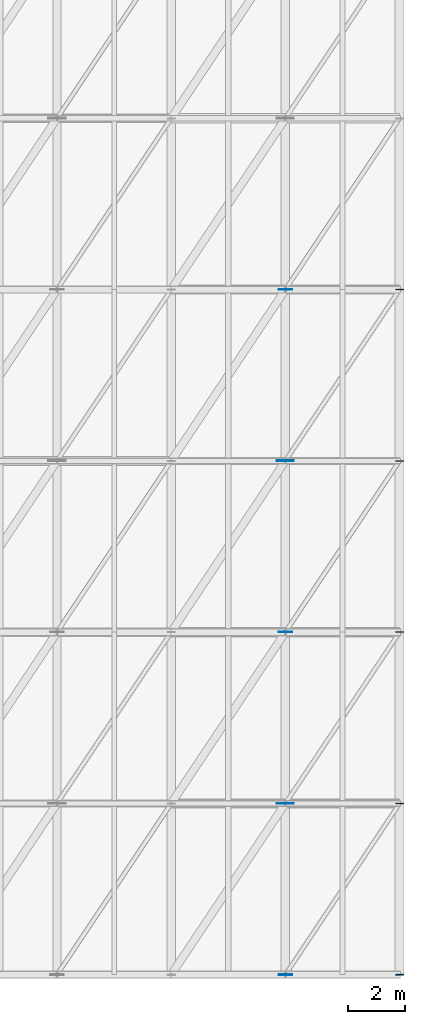
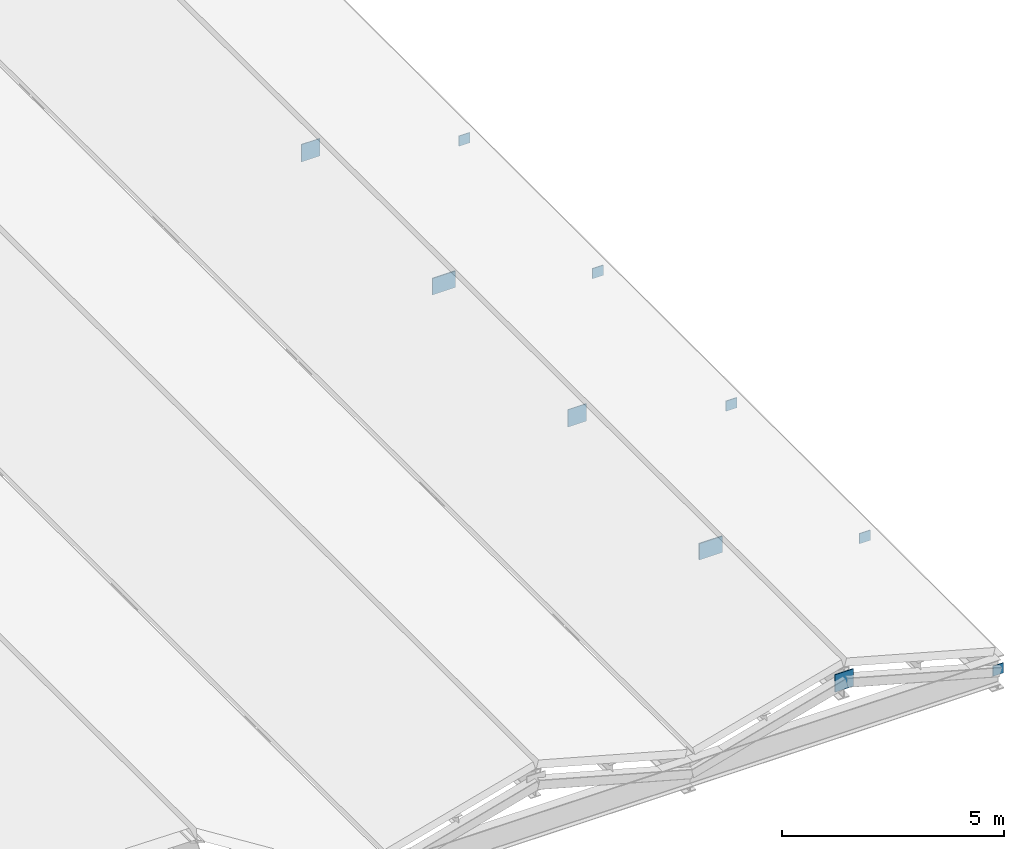
# One storey, part 23 of 27: 10 plates.
"""IFC4 building model written with IfcOpenShell, lengths in metres."""

from ifc_helpers import new_model, si_unit, direction, frame, origin, origin_2d, place, context, subcontext, project, spatial, rectangle, extrude, material, layer, layer_set, type_object, element, save


model = new_model("IFC4")

# Units and contexts
model_context = context("Model", 3, precision=1e-05, world=origin(), true_north=direction((0.0, 1.0)))
body_context = subcontext(model_context, "Body", "Model", "MODEL_VIEW")
ifc_project = project(units=[si_unit("LENGTHUNIT", "METRE"), si_unit("AREAUNIT", "SQUARE_METRE"), si_unit("VOLUMEUNIT", "CUBIC_METRE"), si_unit("PLANEANGLEUNIT", "RADIAN"), si_unit("MASSUNIT", "GRAM", prefix="KILO")], contexts=[model_context])

# Site, building, storey
site_placement = place(None, origin())
site = spatial("IfcSite", under=ifc_project, at=site_placement, CompositionType="ELEMENT")
building_placement = place(site_placement, origin())
building = spatial("IfcBuilding", under=site, at=building_placement, Name="Verrall Gate Interchange", CompositionType="ELEMENT")
storey_placement = place(building_placement, frame((0.0, 0.0, 32.800048828125)))
storey = spatial("IfcBuildingStorey", under=building, at=storey_placement, Name="RF", CompositionType="ELEMENT", Elevation=32.800048828125)

# Plates
ifc_material_1 = material(Name="Structural Steel CSA G40.21 350WT Cat 4", Category="steel")
ifc_layer_1 = layer(ifc_material_1, 0.02001953125)
ifc_layer_set_1 = layer_set([ifc_layer_1], Name="Structural Steel CSA G40.21 350WT Cat 4")
plate_type_1 = type_object("IfcPlateType", Name="GP-01 Gusset Plate 20", PredefinedType="SHEET", material=ifc_layer_set_1)
plate_1_placement = place(storey_placement, frame((104.0, 12.0, -15.9482421875), z_axis=(0.0, 0.0, 1.0), x_axis=(1.0, 0.0, 0.0)))
element("IfcPlate", 1, at=plate_1_placement, inside=storey, type_object=plate_type_1, Name="Folded-Plate Ridge Gusset Node KN-R9-0", PredefinedType="SHEET", context=body_context, shape_type="SweptSolid", body=[
    extrude(rectangle(XDim=0.47998046875, YDim=0.02001953125, at=origin_2d()), origin(), (0.0, 0.0, 1.0), 0.47998046875),
])
for number, where, z_axis, x_axis, name in (
    (2, (108.0, 12.0, -16.9482421875), (0.0, 0.0, 1.0), (1.0, 0.0, 0.0), "Folded-Plate Valley Gusset Node KN-V9-1-0"),
    (3, (108.0, 18.0, -16.9482421875), (0.0, 0.0, 1.0), (1.0, 0.0, 0.0), "Folded-Plate Valley Gusset Node KN-V9-1-1"),
):
    element("IfcPlate", number, at=place(storey_placement, frame(where, z_axis=z_axis, x_axis=x_axis)), inside=storey, type_object=plate_type_1, Name=name, PredefinedType="SHEET", context=body_context, shape_type="SweptSolid", body=[
        extrude(rectangle(XDim=0.280029296875, YDim=0.02001953125, at=origin_2d()), origin(), (0.0, 0.0, 1.0), 0.280029296875),
    ])
plate_2_placement = place(storey_placement, frame((104.0, 24.0, -15.9482421875), z_axis=(0.0, 0.0, 1.0), x_axis=(1.0, 0.0, 0.0)))
element("IfcPlate", 4, at=plate_2_placement, inside=storey, type_object=plate_type_1, Name="Folded-Plate Ridge Gusset Node KN-R9-2", PredefinedType="SHEET", context=body_context, shape_type="SweptSolid", body=[
    extrude(rectangle(XDim=0.47998046875, YDim=0.02001953125, at=origin_2d()), origin(), (0.0, 0.0, 1.0), 0.47998046875),
])
for number, where, z_axis, x_axis, name in (
    (5, (108.0, 24.0, -16.9482421875), (0.0, 0.0, 1.0), (1.0, 0.0, 0.0), "Folded-Plate Valley Gusset Node KN-V9-1-2"),
    (6, (108.0, 30.0, -16.9482421875), (0.0, 0.0, 1.0), (1.0, 0.0, 0.0), "Folded-Plate Valley Gusset Node KN-V9-1-3"),
):
    element("IfcPlate", number, at=place(storey_placement, frame(where, z_axis=z_axis, x_axis=x_axis)), inside=storey, type_object=plate_type_1, Name=name, PredefinedType="SHEET", context=body_context, shape_type="SweptSolid", body=[
        extrude(rectangle(XDim=0.280029296875, YDim=0.02001953125, at=origin_2d()), origin(), (0.0, 0.0, 1.0), 0.280029296875),
    ])
plate_3_placement = place(storey_placement, frame((104.0, 36.0, -15.9482421875), z_axis=(0.0, 0.0, 1.0), x_axis=(1.0, 0.0, 0.0)))
element("IfcPlate", 7, at=plate_3_placement, inside=storey, type_object=plate_type_1, Name="Folded-Plate Ridge Gusset Node KN-R9-4", PredefinedType="SHEET", context=body_context, shape_type="SweptSolid", body=[
    extrude(rectangle(XDim=0.47998046875, YDim=0.02001953125, at=origin_2d()), origin(), (0.0, 0.0, 1.0), 0.47998046875),
])
plate_4_placement = place(storey_placement, frame((108.0, 36.0, -16.9482421875), z_axis=(0.0, 0.0, 1.0), x_axis=(1.0, 0.0, 0.0)))
element("IfcPlate", 8, at=plate_4_placement, inside=storey, type_object=plate_type_1, Name="Folded-Plate Valley Gusset Node KN-V9-1-4", PredefinedType="SHEET", context=body_context, shape_type="SweptSolid", body=[
    extrude(rectangle(XDim=0.280029296875, YDim=0.02001953125, at=origin_2d()), origin(), (0.0, 0.0, 1.0), 0.280029296875),
])
ifc_material_2 = material(Name="Structural Steel CSA G40.21 350WT Cat 4", Category="steel")
ifc_layer_2 = layer(ifc_material_2, 0.030029296875)
ifc_layer_set_2 = layer_set([ifc_layer_2], Name="Structural Steel CSA G40.21 350WT Cat 4")
plate_type_2 = type_object("IfcPlateType", Name="GP-02 Gusset Plate 30", PredefinedType="SHEET", material=ifc_layer_set_2)
for number, where, z_axis, x_axis, name in (
    (9, (104.0, 18.0, -15.93310546875), (0.0, 0.0, 1.0), (1.0, 0.0, 0.0), "Folded-Plate Ridge Gusset Node KN-R9-1"),
    (10, (104.0, 30.0, -15.93310546875), (0.0, 0.0, 1.0), (1.0, 0.0, 0.0), "Folded-Plate Ridge Gusset Node KN-R9-3"),
):
    element("IfcPlate", number, at=place(storey_placement, frame(where, z_axis=z_axis, x_axis=x_axis)), inside=storey, type_object=plate_type_2, Name=name, PredefinedType="SHEET", context=body_context, shape_type="SweptSolid", body=[
        extrude(rectangle(XDim=0.60009765625, YDim=0.030029296875, at=origin_2d()), origin(), (0.0, 0.0, 1.0), 0.449951171875),
    ])

save(model, "model.ifc")
